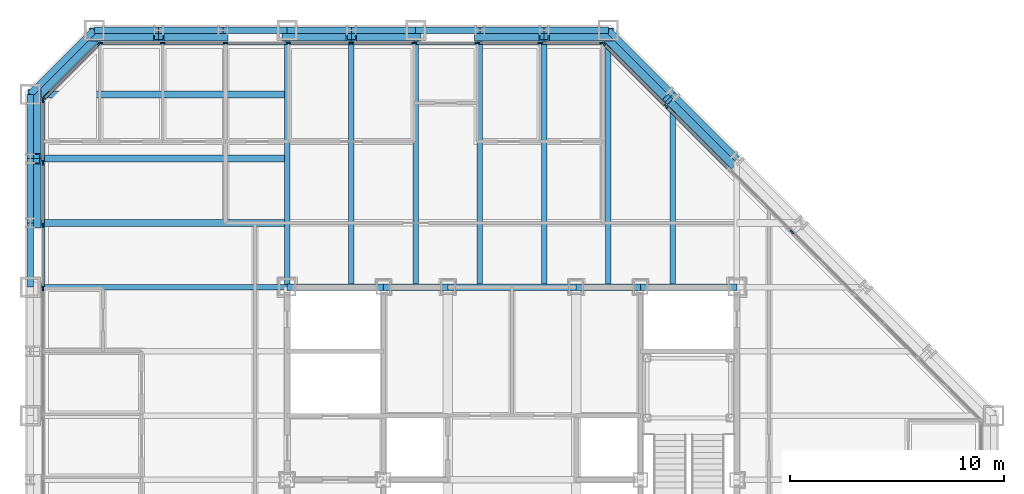
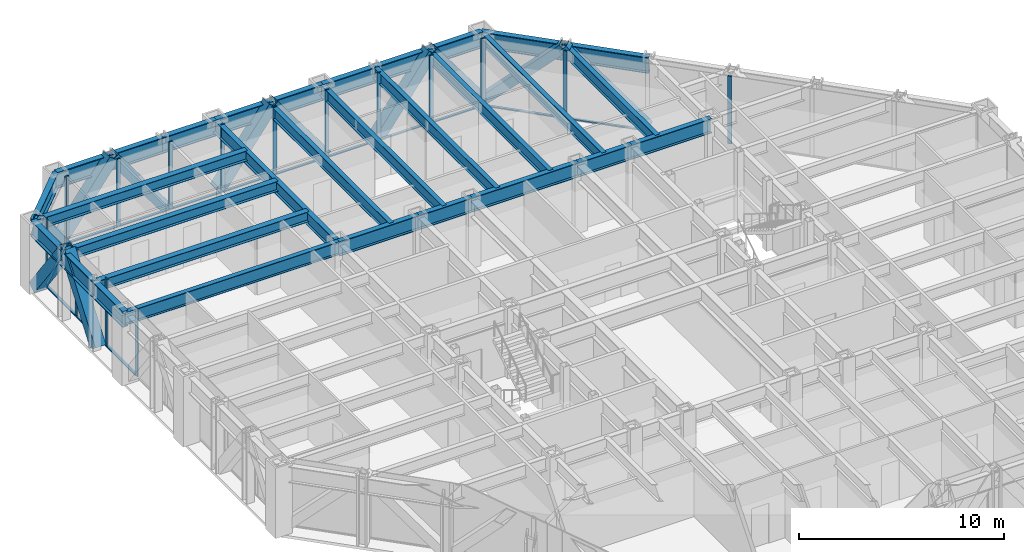
# One storey, part 7 of 16: 43 members, 30 beams, 4 elements without a shape of their own.
"""IFC4 building model written with IfcOpenShell, lengths in metres."""

from ifc_helpers import new_model, si_unit, direction, frame, origin, origin_2d, place, context, subcontext, project, spatial, rectangle, hollow_rectangle, i_section, extrude, material, layer, layer_set, material_profile, profile_set, type_object, element, aggregate, save


model = new_model("IFC4")

# Units and contexts
model_context = context("Model", 3, precision=1e-05, world=origin(), true_north=direction((0.0, 1.0)))
body_context = subcontext(model_context, "Body", "Model", "MODEL_VIEW")
ifc_project = project(units=[si_unit("LENGTHUNIT", "METRE"), si_unit("AREAUNIT", "SQUARE_METRE"), si_unit("VOLUMEUNIT", "CUBIC_METRE"), si_unit("PLANEANGLEUNIT", "RADIAN"), si_unit("MASSUNIT", "GRAM", prefix="KILO")], contexts=[model_context])

# Site, building, storey
site_placement = place(None, origin())
site = spatial("IfcSite", under=ifc_project, at=site_placement, CompositionType="ELEMENT")
building_placement = place(site_placement, origin())
building = spatial("IfcBuilding", under=site, at=building_placement, Name="Chuquiago Exchange Tower", CompositionType="ELEMENT")
storey_placement = place(building_placement, frame((0.0, 0.0, 106.800048828125)))
storey = spatial("IfcBuildingStorey", under=building, at=storey_placement, Name="L22", CompositionType="ELEMENT", Elevation=106.800048828125)

# Beams
ifc_material_1 = material(Name="Steel ASTM A992", Category="steel")
ifc_material_profile_1 = material_profile(ifc_material_1, i_section(OverallWidth=0.25390625, OverallDepth=0.683349609375, WebThickness=0.012451171875, FlangeThickness=0.018798828125, at=origin_2d()), Name="W27X94")
ifc_profile_set_1 = profile_set([ifc_material_profile_1], Name="Steel ASTM A992")
beam_type_1 = type_object("IfcBeamType", Name="B1 W27X94", PredefinedType="BEAM", material=ifc_profile_set_1)
for number, where, z_axis, x_axis, name in (
    (1, (15.0, 33.0, 3.6982421875), (0.0, 1.0, 0.0), (-1.0, 0.0, 0.0), "FB-L23-infill-15_33-15_45-0"),
    (2, (18.0, 33.0, 3.6982421875), (0.0, 1.0, 0.0), (-1.0, 0.0, 0.0), "FB-L23-infill-18_33-18_45-0"),
    (3, (21.0, 33.0, 3.6982421875), (0.0, 1.0, 0.0), (-1.0, 0.0, 0.0), "FB-L23-infill-21_33-21_45-0"),
    (4, (24.0, 33.0, 3.6982421875), (0.0, 1.0, 0.0), (-1.0, 0.0, 0.0), "FB-L23-infill-24_33-24_45-0"),
    (5, (27.0, 33.0, 3.6982421875), (0.0, 1.0, 0.0), (-1.0, 0.0, 0.0), "FB-L23-infill-27_33-27_45-0"),
):
    element("IfcBeam", number, at=place(storey_placement, frame(where, z_axis=z_axis, x_axis=x_axis)), inside=storey, type_object=beam_type_1, Name=name, PredefinedType="BEAM", context=body_context, shape_type="SweptSolid", body=[
        extrude(i_section(OverallWidth=0.25390625, OverallDepth=0.683349609375, WebThickness=0.012451171875, FlangeThickness=0.018798828125, at=origin_2d()), origin(), (0.0, 0.0, 1.0), 12.0),
    ])
beam_1_placement = place(storey_placement, frame((30.0, 33.0, 3.6982421875), z_axis=(0.0, 1.0, 0.0), x_axis=(-1.0, 0.0, 0.0)))
element("IfcBeam", 6, at=beam_1_placement, inside=storey, type_object=beam_type_1, Name="FB-L23-infill-30_33-30_42-0", PredefinedType="BEAM", context=body_context, shape_type="SweptSolid", body=[
    extrude(i_section(OverallWidth=0.25390625, OverallDepth=0.683349609375, WebThickness=0.012451171875, FlangeThickness=0.018798828125, at=origin_2d()), origin(), (0.0, 0.0, 1.0), 9.0),
])
ifc_material_2 = material(Name="Steel ASTM A992", Category="steel")
ifc_material_profile_2 = material_profile(ifc_material_2, i_section(OverallWidth=0.3251953125, OverallDepth=0.612060546875, WebThickness=0.0126953125, FlangeThickness=0.01904296875, at=origin_2d()), Name="W24X104")
ifc_profile_set_2 = profile_set([ifc_material_profile_2], Name="Steel ASTM A992")
beam_type_2 = type_object("IfcBeamType", Name="B2 W24X104", PredefinedType="BEAM", material=ifc_profile_set_2)
for number, where, z_axis, x_axis, name in (
    (7, (12.0, 36.0, 3.73388671875), (-1.0, 0.0, 0.0), (0.0, -1.0, 0.0), "FB-L23-corner-12_36--0_36-0"),
    (8, (12.0, 39.0, 3.73388671875), (-1.0, 0.0, 0.0), (0.0, -1.0, 0.0), "FB-L23-corner-12_39--0_39-0"),
    (9, (12.0, 42.0, 3.73388671875), (-1.0, 0.0, 0.0), (0.0, -1.0, 0.0), "FB-L23-corner-12_42--0_42-0"),
):
    element("IfcBeam", number, at=place(storey_placement, frame(where, z_axis=z_axis, x_axis=x_axis)), inside=storey, type_object=beam_type_2, Name=name, PredefinedType="BEAM", context=body_context, shape_type="SweptSolid", body=[
        extrude(i_section(OverallWidth=0.3251953125, OverallDepth=0.612060546875, WebThickness=0.0126953125, FlangeThickness=0.01904296875, at=origin_2d()), origin(), (0.0, 0.0, 1.0), 12.0),
    ])
ifc_material_3 = material(Name="Steel ASTM A992", Category="steel")
ifc_material_profile_3 = material_profile(ifc_material_3, i_section(OverallWidth=0.2919921875, OverallDepth=0.8583984375, WebThickness=0.01708984375, FlangeThickness=0.031005859375, at=origin_2d()), Name="W33X169")
ifc_profile_set_3 = profile_set([ifc_material_profile_3], Name="Steel ASTM A992")
beam_type_3 = type_object("IfcBeamType", Name="B3 W33X169", PredefinedType="BEAM", material=ifc_profile_set_3)
beam_2_placement = place(storey_placement, frame((12.0, 33.0, 3.610595703125), z_axis=(1.0, 0.0, 0.0), x_axis=(0.0, 1.0, 0.0)))
element("IfcBeam", 10, at=beam_2_placement, inside=storey, type_object=beam_type_3, Name="CB-L23-12_33-16.5_33", PredefinedType="BEAM", context=body_context, shape_type="SweptSolid", body=[
    extrude(i_section(OverallWidth=0.2919921875, OverallDepth=0.8583984375, WebThickness=0.01708984375, FlangeThickness=0.031005859375, at=origin_2d()), origin(), (0.0, 0.0, 1.0), 4.5),
])
beam_3_placement = place(storey_placement, frame((16.5, 33.0, 3.610595703125), z_axis=(1.0, 0.0, 0.0), x_axis=(0.0, 1.0, 0.0)))
element("IfcBeam", 11, at=beam_3_placement, inside=storey, type_object=beam_type_3, Name="CB-L23-16.5_33-19.5_33", PredefinedType="BEAM", context=body_context, shape_type="SweptSolid", body=[
    extrude(i_section(OverallWidth=0.2919921875, OverallDepth=0.8583984375, WebThickness=0.01708984375, FlangeThickness=0.031005859375, at=origin_2d()), origin(), (0.0, 0.0, 1.0), 3.0),
])
beam_4_placement = place(storey_placement, frame((19.5, 33.0, 3.610595703125), z_axis=(1.0, 0.0, 0.0), x_axis=(0.0, 1.0, 0.0)))
element("IfcBeam", 12, at=beam_4_placement, inside=storey, type_object=beam_type_3, Name="CB-L23-19.5_33-25.5_33", PredefinedType="BEAM", context=body_context, shape_type="SweptSolid", body=[
    extrude(i_section(OverallWidth=0.2919921875, OverallDepth=0.8583984375, WebThickness=0.01708984375, FlangeThickness=0.031005859375, at=origin_2d()), origin(), (0.0, 0.0, 1.0), 6.0),
])
beam_5_placement = place(storey_placement, frame((25.5, 33.0, 3.610595703125), z_axis=(1.0, 0.0, 0.0), x_axis=(0.0, 1.0, 0.0)))
element("IfcBeam", 13, at=beam_5_placement, inside=storey, type_object=beam_type_3, Name="CB-L23-25.5_33-28.5_33", PredefinedType="BEAM", context=body_context, shape_type="SweptSolid", body=[
    extrude(i_section(OverallWidth=0.2919921875, OverallDepth=0.8583984375, WebThickness=0.01708984375, FlangeThickness=0.031005859375, at=origin_2d()), origin(), (0.0, 0.0, 1.0), 3.0),
])
beam_6_placement = place(storey_placement, frame((28.5, 33.0, 3.610595703125), z_axis=(1.0, 0.0, 0.0), x_axis=(0.0, 1.0, 0.0)))
element("IfcBeam", 14, at=beam_6_placement, inside=storey, type_object=beam_type_3, Name="CB-L23-28.5_33-33_33", PredefinedType="BEAM", context=body_context, shape_type="SweptSolid", body=[
    extrude(i_section(OverallWidth=0.2919921875, OverallDepth=0.8583984375, WebThickness=0.01708984375, FlangeThickness=0.031005859375, at=origin_2d()), origin(), (0.0, 0.0, 1.0), 4.5),
])

# Curtain wall, members
ifc_material_4 = material(Name="Aluminium curtain wall system", Category="aluminium")
ifc_layer_1 = layer(ifc_material_4, 0.22509765625)
ifc_layer_set_1 = layer_set([ifc_layer_1], Name="CW2 office curtain wall")
curtain_wall_type_1 = type_object("IfcCurtainWallType", Name="CW2 office curtain wall", PredefinedType="NOTDEFINED", material=ifc_layer_set_1)
curtain_wall_1_placement = place(storey_placement, origin())
curtain_wall_1 = element("IfcCurtainWall", 15, at=curtain_wall_1_placement, inside=storey, type_object=curtain_wall_type_1, Name="CW2 curtain wall L22", PredefinedType="NOTDEFINED")
ifc_material_5 = material(Name="Aluminium mullion, pale anodised", Category="aluminium")
ifc_material_profile_4 = material_profile(ifc_material_5, rectangle(XDim=0.06494140625, YDim=0.22509765625, at=origin_2d()), Name="AL 65x225")
ifc_profile_set_4 = profile_set([ifc_material_profile_4], Name="Aluminium mullion, pale anodised")
member_type_1 = type_object("IfcMemberType", Name="CW2-M mullion 65x225", PredefinedType="MULLION", material=ifc_profile_set_4)
member_1_placement = place(storey_placement, frame((26.718994140625, 44.39990234375, 0.0), z_axis=(0.0, 0.0, 1.0), x_axis=(0.0, -1.0, 0.0)))
member_1 = element("IfcMember", 16, at=member_1_placement, type_object=member_type_1, Name="CW2 mullion 1", PredefinedType="MULLION", context=body_context, shape_type="SweptSolid", body=[
    extrude(rectangle(XDim=0.06494140625, YDim=0.22509765625, at=origin_2d()), origin(), (0.0, 0.0, 1.0), 4.0400390625),
])
member_2_placement = place(storey_placement, frame((23.813720703125, 44.39990234375, 0.0), z_axis=(0.0, 0.0, 1.0), x_axis=(0.0, -1.0, 0.0)))
member_2 = element("IfcMember", 17, at=member_2_placement, type_object=member_type_1, Name="CW2 mullion 2", PredefinedType="MULLION", context=body_context, shape_type="SweptSolid", body=[
    extrude(rectangle(XDim=0.06494140625, YDim=0.22509765625, at=origin_2d()), origin(), (0.0, 0.0, 1.0), 4.0400390625),
])
member_3_placement = place(storey_placement, frame((20.875732421875, 44.39990234375, 0.0), z_axis=(0.0, 0.0, 1.0), x_axis=(0.0, -1.0, 0.0)))
member_3 = element("IfcMember", 18, at=member_3_placement, type_object=member_type_1, Name="CW2 mullion 3", PredefinedType="MULLION", context=body_context, shape_type="SweptSolid", body=[
    extrude(rectangle(XDim=0.06494140625, YDim=0.22509765625, at=origin_2d()), origin(), (0.0, 0.0, 1.0), 4.0400390625),
])
member_4_placement = place(storey_placement, frame((17.93798828125, 44.39990234375, 0.0), z_axis=(0.0, 0.0, 1.0), x_axis=(0.0, -1.0, 0.0)))
member_4 = element("IfcMember", 19, at=member_4_placement, type_object=member_type_1, Name="CW2 mullion 4", PredefinedType="MULLION", context=body_context, shape_type="SweptSolid", body=[
    extrude(rectangle(XDim=0.06494140625, YDim=0.22509765625, at=origin_2d()), origin(), (0.0, 0.0, 1.0), 4.0400390625),
])
member_5_placement = place(storey_placement, frame((15.0, 44.39990234375, 0.0), z_axis=(0.0, 0.0, 1.0), x_axis=(0.0, -1.0, 0.0)))
member_5 = element("IfcMember", 20, at=member_5_placement, type_object=member_type_1, Name="CW2 mullion 5", PredefinedType="MULLION", context=body_context, shape_type="SweptSolid", body=[
    extrude(rectangle(XDim=0.06494140625, YDim=0.22509765625, at=origin_2d()), origin(), (0.0, 0.0, 1.0), 4.0400390625),
])
member_6_placement = place(storey_placement, frame((12.06201171875, 44.39990234375, 0.0), z_axis=(0.0, 0.0, 1.0), x_axis=(0.0, -1.0, 0.0)))
member_6 = element("IfcMember", 21, at=member_6_placement, type_object=member_type_1, Name="CW2 mullion 6", PredefinedType="MULLION", context=body_context, shape_type="SweptSolid", body=[
    extrude(rectangle(XDim=0.06494140625, YDim=0.22509765625, at=origin_2d()), origin(), (0.0, 0.0, 1.0), 4.0400390625),
])
member_7_placement = place(storey_placement, frame((9.124267578125, 44.39990234375, 0.0), z_axis=(0.0, 0.0, 1.0), x_axis=(0.0, -1.0, 0.0)))
member_7 = element("IfcMember", 22, at=member_7_placement, type_object=member_type_1, Name="CW2 mullion 7", PredefinedType="MULLION", context=body_context, shape_type="SweptSolid", body=[
    extrude(rectangle(XDim=0.06494140625, YDim=0.22509765625, at=origin_2d()), origin(), (0.0, 0.0, 1.0), 4.0400390625),
])
member_8_placement = place(storey_placement, frame((6.186279296875, 44.39990234375, 0.0), z_axis=(0.0, 0.0, 1.0), x_axis=(0.0, -1.0, 0.0)))
member_8 = element("IfcMember", 23, at=member_8_placement, type_object=member_type_1, Name="CW2 mullion 8", PredefinedType="MULLION", context=body_context, shape_type="SweptSolid", body=[
    extrude(rectangle(XDim=0.06494140625, YDim=0.22509765625, at=origin_2d()), origin(), (0.0, 0.0, 1.0), 4.0400390625),
])
member_9_placement = place(storey_placement, frame((3.281005859375, 44.39990234375, 0.0), z_axis=(0.0, 0.0, 1.0), x_axis=(0.0, -1.0, 0.0)))
member_9 = element("IfcMember", 24, at=member_9_placement, type_object=member_type_1, Name="CW2 mullion 9", PredefinedType="MULLION", context=body_context, shape_type="SweptSolid", body=[
    extrude(rectangle(XDim=0.06494140625, YDim=0.22509765625, at=origin_2d()), origin(), (0.0, 0.0, 1.0), 4.0400390625),
])

curtain_wall_2_placement = place(storey_placement, origin())
curtain_wall_2 = element("IfcCurtainWall", 25, at=curtain_wall_2_placement, inside=storey, type_object=curtain_wall_type_1, Name="CW2 curtain wall L22", PredefinedType="NOTDEFINED")
member_10_placement = place(storey_placement, frame((0.60009765625, 41.718994140625, 0.0), z_axis=(0.0, 0.0, 1.0), x_axis=(1.0, 0.0, 0.0)))
member_10 = element("IfcMember", 26, at=member_10_placement, type_object=member_type_1, Name="CW2 mullion 1", PredefinedType="MULLION", context=body_context, shape_type="SweptSolid", body=[
    extrude(rectangle(XDim=0.06494140625, YDim=0.22509765625, at=origin_2d()), origin(), (0.0, 0.0, 1.0), 4.0400390625),
])
member_11_placement = place(storey_placement, frame((0.60009765625, 38.813720703125, 0.0), z_axis=(0.0, 0.0, 1.0), x_axis=(1.0, 0.0, 0.0)))
member_11 = element("IfcMember", 27, at=member_11_placement, type_object=member_type_1, Name="CW2 mullion 2", PredefinedType="MULLION", context=body_context, shape_type="SweptSolid", body=[
    extrude(rectangle(XDim=0.06494140625, YDim=0.22509765625, at=origin_2d()), origin(), (0.0, 0.0, 1.0), 4.0400390625),
])
member_12_placement = place(storey_placement, frame((0.60009765625, 35.875732421875, 0.0), z_axis=(0.0, 0.0, 1.0), x_axis=(1.0, 0.0, 0.0)))
member_12 = element("IfcMember", 28, at=member_12_placement, type_object=member_type_1, Name="CW2 mullion 3", PredefinedType="MULLION", context=body_context, shape_type="SweptSolid", body=[
    extrude(rectangle(XDim=0.06494140625, YDim=0.22509765625, at=origin_2d()), origin(), (0.0, 0.0, 1.0), 4.0400390625),
])
member_13_placement = place(storey_placement, frame((0.60009765625, 32.93798828125, 0.0), z_axis=(0.0, 0.0, 1.0), x_axis=(1.0, 0.0, 0.0)))
member_13 = element("IfcMember", 29, at=member_13_placement, type_object=member_type_1, Name="CW2 mullion 4", PredefinedType="MULLION", context=body_context, shape_type="SweptSolid", body=[
    extrude(rectangle(XDim=0.06494140625, YDim=0.22509765625, at=origin_2d()), origin(), (0.0, 0.0, 1.0), 4.0400390625),
])

# Member
ifc_material_6 = material(Name="Aluminium transom, pale anodised", Category="aluminium")
ifc_material_profile_5 = material_profile(ifc_material_6, rectangle(XDim=0.139892578125, YDim=0.06494140625, at=origin_2d()), Name="AL 140x65")
ifc_profile_set_5 = profile_set([ifc_material_profile_5], Name="Aluminium transom, pale anodised")
member_type_2 = type_object("IfcMemberType", Name="CW2-T transom 65x140", PredefinedType="MULLION", material=ifc_profile_set_5)
member_14_placement = place(storey_placement, frame((26.6865234375, 44.39990234375, 0.032470703125), z_axis=(-1.0, 0.0, 0.0), x_axis=(0.0, -1.0, 0.0)))
member_14 = element("IfcMember", 30, at=member_14_placement, type_object=member_type_2, Name="CW2 transom 1.1", PredefinedType="MULLION", context=body_context, shape_type="SweptSolid", body=[
    extrude(rectangle(XDim=0.139892578125, YDim=0.06494140625, at=origin_2d()), origin(), (0.0, 0.0, 1.0), 2.84033203125),
])

member_15_placement = place(storey_placement, frame((23.781005859375, 44.39990234375, 0.032470703125), z_axis=(-1.0, 0.0, 0.0), x_axis=(0.0, -1.0, 0.0)))
member_15 = element("IfcMember", 31, at=member_15_placement, type_object=member_type_2, Name="CW2 transom 2.1", PredefinedType="MULLION", context=body_context, shape_type="SweptSolid", body=[
    extrude(rectangle(XDim=0.139892578125, YDim=0.06494140625, at=origin_2d()), origin(), (0.0, 0.0, 1.0), 2.872802734375),
])

member_16_placement = place(storey_placement, frame((20.84326171875, 44.39990234375, 0.032470703125), z_axis=(-1.0, 0.0, 0.0), x_axis=(0.0, -1.0, 0.0)))
member_16 = element("IfcMember", 32, at=member_16_placement, type_object=member_type_2, Name="CW2 transom 3.1", PredefinedType="MULLION", context=body_context, shape_type="SweptSolid", body=[
    extrude(rectangle(XDim=0.139892578125, YDim=0.06494140625, at=origin_2d()), origin(), (0.0, 0.0, 1.0), 2.872802734375),
])

member_17_placement = place(storey_placement, frame((17.9052734375, 44.39990234375, 0.032470703125), z_axis=(-1.0, 0.0, 0.0), x_axis=(0.0, -1.0, 0.0)))
member_17 = element("IfcMember", 33, at=member_17_placement, type_object=member_type_2, Name="CW2 transom 4.1", PredefinedType="MULLION", context=body_context, shape_type="SweptSolid", body=[
    extrude(rectangle(XDim=0.139892578125, YDim=0.06494140625, at=origin_2d()), origin(), (0.0, 0.0, 1.0), 2.872802734375),
])

member_18_placement = place(storey_placement, frame((14.967529296875, 44.39990234375, 0.032470703125), z_axis=(-1.0, 0.0, 0.0), x_axis=(0.0, -1.0, 0.0)))
member_18 = element("IfcMember", 34, at=member_18_placement, type_object=member_type_2, Name="CW2 transom 5.1", PredefinedType="MULLION", context=body_context, shape_type="SweptSolid", body=[
    extrude(rectangle(XDim=0.139892578125, YDim=0.06494140625, at=origin_2d()), origin(), (0.0, 0.0, 1.0), 2.872802734375),
])

member_19_placement = place(storey_placement, frame((12.029541015625, 44.39990234375, 0.032470703125), z_axis=(-1.0, 0.0, 0.0), x_axis=(0.0, -1.0, 0.0)))
member_19 = element("IfcMember", 35, at=member_19_placement, type_object=member_type_2, Name="CW2 transom 6.1", PredefinedType="MULLION", context=body_context, shape_type="SweptSolid", body=[
    extrude(rectangle(XDim=0.139892578125, YDim=0.06494140625, at=origin_2d()), origin(), (0.0, 0.0, 1.0), 2.872802734375),
])

member_20_placement = place(storey_placement, frame((9.091796875, 44.39990234375, 0.032470703125), z_axis=(-1.0, 0.0, 0.0), x_axis=(0.0, -1.0, 0.0)))
member_20 = element("IfcMember", 36, at=member_20_placement, type_object=member_type_2, Name="CW2 transom 7.1", PredefinedType="MULLION", context=body_context, shape_type="SweptSolid", body=[
    extrude(rectangle(XDim=0.139892578125, YDim=0.06494140625, at=origin_2d()), origin(), (0.0, 0.0, 1.0), 2.872802734375),
])

member_21_placement = place(storey_placement, frame((6.15380859375, 44.39990234375, 0.032470703125), z_axis=(-1.0, 0.0, 0.0), x_axis=(0.0, -1.0, 0.0)))
member_21 = element("IfcMember", 37, at=member_21_placement, type_object=member_type_2, Name="CW2 transom 8.1", PredefinedType="MULLION", context=body_context, shape_type="SweptSolid", body=[
    extrude(rectangle(XDim=0.139892578125, YDim=0.06494140625, at=origin_2d()), origin(), (0.0, 0.0, 1.0), 2.84033203125),
])

aggregate(curtain_wall_1, [member_1, member_2, member_3, member_4, member_5, member_6, member_7, member_8, member_9, member_14, member_15, member_16, member_17, member_18, member_19, member_20, member_21])

member_22_placement = place(storey_placement, frame((0.60009765625, 41.6865234375, 0.032470703125), z_axis=(0.0, -1.0, 0.0), x_axis=(1.0, 0.0, 0.0)))
member_22 = element("IfcMember", 38, at=member_22_placement, type_object=member_type_2, Name="CW2 transom 1.1", PredefinedType="MULLION", context=body_context, shape_type="SweptSolid", body=[
    extrude(rectangle(XDim=0.139892578125, YDim=0.06494140625, at=origin_2d()), origin(), (0.0, 0.0, 1.0), 2.84033203125),
])

member_23_placement = place(storey_placement, frame((0.60009765625, 38.781005859375, 0.032470703125), z_axis=(0.0, -1.0, 0.0), x_axis=(1.0, 0.0, 0.0)))
member_23 = element("IfcMember", 39, at=member_23_placement, type_object=member_type_2, Name="CW2 transom 2.1", PredefinedType="MULLION", context=body_context, shape_type="SweptSolid", body=[
    extrude(rectangle(XDim=0.139892578125, YDim=0.06494140625, at=origin_2d()), origin(), (0.0, 0.0, 1.0), 2.872802734375),
])

member_24_placement = place(storey_placement, frame((0.60009765625, 35.84326171875, 0.032470703125), z_axis=(0.0, -1.0, 0.0), x_axis=(1.0, 0.0, 0.0)))
member_24 = element("IfcMember", 40, at=member_24_placement, type_object=member_type_2, Name="CW2 transom 3.1", PredefinedType="MULLION", context=body_context, shape_type="SweptSolid", body=[
    extrude(rectangle(XDim=0.139892578125, YDim=0.06494140625, at=origin_2d()), origin(), (0.0, 0.0, 1.0), 2.872802734375),
])

aggregate(curtain_wall_2, [member_10, member_11, member_12, member_13, member_22, member_23, member_24])

# Curtain wall, members
ifc_material_7 = material(Name="Aluminium curtain wall system", Category="aluminium")
ifc_layer_2 = layer(ifc_material_7, 0.199951171875)
ifc_layer_set_2 = layer_set([ifc_layer_2], Name="CW3 facet curtain wall")
curtain_wall_type_2 = type_object("IfcCurtainWallType", Name="CW3 facet curtain wall", PredefinedType="NOTDEFINED", material=ifc_layer_set_2)
curtain_wall_3_placement = place(storey_placement, origin())
curtain_wall_3 = element("IfcCurtainWall", 41, at=curtain_wall_3_placement, inside=storey, type_object=curtain_wall_type_2, Name="CW3 curtain wall L22", PredefinedType="NOTDEFINED")
ifc_material_8 = material(Name="Aluminium mullion, pale anodised", Category="aluminium")
ifc_material_profile_6 = material_profile(ifc_material_8, rectangle(XDim=0.06494140625, YDim=0.199951171875, at=origin_2d()), Name="AL 65x200")
ifc_profile_set_6 = profile_set([ifc_material_profile_6], Name="Aluminium mullion, pale anodised")
member_type_3 = type_object("IfcMemberType", Name="CW3-M mullion 65x200", PredefinedType="MULLION", material=ifc_profile_set_6)
member_25_placement = place(storey_placement, frame((35.57568359375, 35.57568359375, 0.0), z_axis=(0.0, 0.0, 1.0), x_axis=(-0.707106781187, -0.707106781187, 0.0)))
member_25 = element("IfcMember", 42, at=member_25_placement, type_object=member_type_3, Name="CW3 mullion 4", PredefinedType="MULLION", context=body_context, shape_type="SweptSolid", body=[
    extrude(rectangle(XDim=0.06494140625, YDim=0.199951171875, at=origin_2d()), origin(), (0.0, 0.0, 1.0), 4.0400390625),
])
member_26_placement = place(storey_placement, frame((29.69287109375, 41.45849609375, 0.0), z_axis=(0.0, 0.0, 1.0), x_axis=(-0.707106781187, -0.707106781187, 0.0)))
member_26 = element("IfcMember", 43, at=member_26_placement, type_object=member_type_3, Name="CW3 mullion 6", PredefinedType="MULLION", context=body_context, shape_type="SweptSolid", body=[
    extrude(rectangle(XDim=0.06494140625, YDim=0.199951171875, at=origin_2d()), origin(), (0.0, 0.0, 1.0), 4.0400390625),
])
member_27_placement = place(storey_placement, frame((26.7744140625, 44.376953125, 0.0), z_axis=(0.0, 0.0, 1.0), x_axis=(-0.707106781187, -0.707106781187, 0.0)))
member_27 = element("IfcMember", 44, at=member_27_placement, type_object=member_type_3, Name="CW3 mullion 7", PredefinedType="MULLION", context=body_context, shape_type="SweptSolid", body=[
    extrude(rectangle(XDim=0.06494140625, YDim=0.199951171875, at=origin_2d()), origin(), (0.0, 0.0, 1.0), 4.0400390625),
])

curtain_wall_4_placement = place(storey_placement, origin())
curtain_wall_4 = element("IfcCurtainWall", 45, at=curtain_wall_4_placement, inside=storey, type_object=curtain_wall_type_2, Name="CW3 curtain wall L22", PredefinedType="NOTDEFINED")
member_28_placement = place(storey_placement, frame((3.2255859375, 44.376953125, 0.0), z_axis=(0.0, 0.0, 1.0), x_axis=(0.707106781187, -0.707106781187, 0.0)))
member_28 = element("IfcMember", 46, at=member_28_placement, type_object=member_type_3, Name="CW3 mullion 1", PredefinedType="MULLION", context=body_context, shape_type="SweptSolid", body=[
    extrude(rectangle(XDim=0.06494140625, YDim=0.199951171875, at=origin_2d()), origin(), (0.0, 0.0, 1.0), 4.0400390625),
])
member_29_placement = place(storey_placement, frame((0.623046875, 41.7744140625, 0.0), z_axis=(0.0, 0.0, 1.0), x_axis=(0.707106781187, -0.707106781187, 0.0)))
member_29 = element("IfcMember", 47, at=member_29_placement, type_object=member_type_3, Name="CW3 mullion 2", PredefinedType="MULLION", context=body_context, shape_type="SweptSolid", body=[
    extrude(rectangle(XDim=0.06494140625, YDim=0.199951171875, at=origin_2d()), origin(), (0.0, 0.0, 1.0), 4.0400390625),
])

# Member
ifc_material_9 = material(Name="Aluminium transom, pale anodised", Category="aluminium")
ifc_material_profile_7 = material_profile(ifc_material_9, rectangle(XDim=0.139892578125, YDim=0.06494140625, at=origin_2d()), Name="AL 140x65")
ifc_profile_set_7 = profile_set([ifc_material_profile_7], Name="Aluminium transom, pale anodised")
member_type_4 = type_object("IfcMemberType", Name="CW3-T transom 65x140", PredefinedType="MULLION", material=ifc_profile_set_7)
member_30_placement = place(storey_placement, frame((32.611328125, 38.5400390625, 0.032470703125), z_axis=(-0.707106781187, 0.707106781187, 0.0), x_axis=(-0.707106781187, -0.707106781187, 0.0)))
member_30 = element("IfcMember", 48, at=member_30_placement, type_object=member_type_4, Name="CW3 transom 5.1", PredefinedType="MULLION", context=body_context, shape_type="SweptSolid", body=[
    extrude(rectangle(XDim=0.139892578125, YDim=0.06494140625, at=origin_2d()), origin(), (0.0, 0.0, 1.0), 4.094970703125),
])

member_31_placement = place(storey_placement, frame((29.669921875, 41.4814453125, 0.032470703125), z_axis=(-0.707106781187, 0.707106781187, 0.0), x_axis=(-0.707106781187, -0.707106781187, 0.0)))
member_31 = element("IfcMember", 49, at=member_31_placement, type_object=member_type_4, Name="CW3 transom 6.1", PredefinedType="MULLION", context=body_context, shape_type="SweptSolid", body=[
    extrude(rectangle(XDim=0.139892578125, YDim=0.06494140625, at=origin_2d()), origin(), (0.0, 0.0, 1.0), 4.0625),
])

aggregate(curtain_wall_3, [member_25, member_26, member_27, member_30, member_31])

member_32_placement = place(storey_placement, frame((3.20263671875, 44.35400390625, 0.032470703125), z_axis=(-0.707106781187, -0.707106781187, 0.0), x_axis=(0.707106781187, -0.707106781187, 0.0)))
member_32 = element("IfcMember", 50, at=member_32_placement, type_object=member_type_4, Name="CW3 transom 1.1", PredefinedType="MULLION", context=body_context, shape_type="SweptSolid", body=[
    extrude(rectangle(XDim=0.139892578125, YDim=0.06494140625, at=origin_2d()), origin(), (0.0, 0.0, 1.0), 3.61572265625),
])

aggregate(curtain_wall_4, [member_28, member_29, member_32])

# Beams
ifc_material_10 = material(Name="Steel ASTM A992", Category="steel")
ifc_material_profile_8 = material_profile(ifc_material_10, i_section(OverallWidth=0.2666015625, OverallDepth=0.76953125, WebThickness=0.015625, FlangeThickness=0.025390625, at=origin_2d()), Name="W30X132")
ifc_profile_set_8 = profile_set([ifc_material_profile_8], Name="Steel ASTM A992")
beam_type_4 = type_object("IfcBeamType", Name="G1 W30X132", PredefinedType="BEAM", material=ifc_profile_set_8)
for number, where, z_axis, x_axis, name in (
    (51, (12.0, 33.0, 3.655029296875), (0.0, 1.0, 0.0), (-1.0, 0.0, 0.0), "FB-L23-girder-12_33-12_45-0"),
    (52, (12.0, 33.0, 3.655029296875), (-1.0, 0.0, 0.0), (0.0, -1.0, 0.0), "FB-L23-girder-12_33--0_33-0"),
):
    element("IfcBeam", number, at=place(storey_placement, frame(where, z_axis=z_axis, x_axis=x_axis)), inside=storey, type_object=beam_type_4, Name=name, PredefinedType="BEAM", context=body_context, shape_type="SweptSolid", body=[
        extrude(i_section(OverallWidth=0.2666015625, OverallDepth=0.76953125, WebThickness=0.015625, FlangeThickness=0.025390625, at=origin_2d()), origin(), (0.0, 0.0, 1.0), 12.0),
    ])

# Members
ifc_material_11 = material(Name="Steel ASTM A500 Grade C", Category="steel")
ifc_material_profile_9 = material_profile(ifc_material_11, hollow_rectangle(XDim=0.508056640625, YDim=0.508056640625, WallThickness=0.017822265625, at=origin_2d()), Name="HSS20X20X3/4")
ifc_profile_set_9 = profile_set([ifc_material_profile_9], Name="Steel ASTM A500 Grade C")
member_type_5 = type_object("IfcMemberType", Name="LB1 HSS20X20X3/4", PredefinedType="BRACE", material=ifc_profile_set_9)
for number, where, z_axis, x_axis, name in (
    (53, (32.822509765625, 38.822509765625, 0.0), (-0.512077265487, 0.512077265487, 0.689604051861), (-0.707106781187, -0.707106781187, 0.0), "LB-L22-33_39-30_42"),
    (54, (26.822509765625, 44.822509765625, 0.0), (0.512077265487, -0.512077265487, 0.689604051861), (0.707106781187, 0.707106781187, 0.0), "LB-L22-30_42-27_45"),
    (55, (3.177490234375, 44.822509765625, 0.0), (-0.512077265487, -0.512077265487, 0.689604051861), (0.707106781187, -0.707106781187, 0.0), "LB-L22-3_45-0_42"),
):
    element("IfcMember", number, at=place(storey_placement, frame(where, z_axis=z_axis, x_axis=x_axis)), inside=storey, type_object=member_type_5, Name=name, PredefinedType="BRACE", context=body_context, shape_type="SweptSolid", body=[
        extrude(hollow_rectangle(XDim=0.508056640625, YDim=0.508056640625, WallThickness=0.017822265625, at=origin_2d()), origin(), (0.0, 0.0, 1.0), 5.8583984375),
    ])
ifc_material_12 = material(Name="Steel ASTM A572 Grade 50", Category="steel")
ifc_material_profile_10 = material_profile(ifc_material_12, hollow_rectangle(XDim=0.60009765625, YDim=0.60009765625, WallThickness=0.06005859375, at=origin_2d()), Name="BOX600X600X60")
ifc_profile_set_10 = profile_set([ifc_material_profile_10], Name="Steel ASTM A572 Grade 50")
member_type_6 = type_object("IfcMemberType", Name="MB2 BOX600X600X60", PredefinedType="BRACE", material=ifc_profile_set_10)
for number, where, z_axis, x_axis, name in (
    (56, (27.0, 44.794921875, 0.0), (-0.596173923302, 0.0, 0.802855312728), (0.0, -1.0, 0.0), "Mega diagonal L22 N face"),
    (57, (21.0, 44.794921875, 0.0), (0.596173923302, 0.0, 0.802855312728), (0.0, 1.0, 0.0), "Mega diagonal L22 N face"),
    (58, (18.0, 44.794921875, 0.0), (-0.596173923302, 0.0, 0.802855312728), (0.0, -1.0, 0.0), "Mega diagonal L22 N face"),
    (59, (12.0, 44.794921875, 0.0), (0.596173923302, 0.0, 0.802855312728), (0.0, 1.0, 0.0), "Mega diagonal L22 N face"),
    (60, (9.0, 44.794921875, 0.0), (-0.596173923302, 0.0, 0.802855312728), (0.0, -1.0, 0.0), "Mega diagonal L22 N face"),
    (61, (3.0, 44.794921875, 0.0), (0.596173923302, 0.0, 0.802855312728), (0.0, 1.0, 0.0), "Mega diagonal L22 N face"),
    (62, (0.205078125, 42.0, 0.0), (0.0, -0.596173923302, 0.802855312728), (1.0, 0.0, 0.0), "Mega diagonal L22 W face"),
    (63, (0.205078125, 36.0, 0.0), (0.0, 0.596173923302, 0.802855312728), (-1.0, 0.0, 0.0), "Mega diagonal L22 W face"),
):
    element("IfcMember", number, at=place(storey_placement, frame(where, z_axis=z_axis, x_axis=x_axis)), inside=storey, type_object=member_type_6, Name=name, PredefinedType="BRACE", context=body_context, shape_type="SweptSolid", body=[
        extrude(hollow_rectangle(XDim=0.60009765625, YDim=0.60009765625, WallThickness=0.06005859375, at=origin_2d()), origin(), (0.0, 0.0, 1.0), 5.031982421875),
    ])

# Beams
ifc_material_13 = material(Name="Steel ASTM A992", Category="steel")
ifc_material_profile_11 = material_profile(ifc_material_13, i_section(OverallWidth=0.309814453125, OverallDepth=0.949951171875, WebThickness=0.0244140625, FlangeThickness=0.0439453125, at=origin_2d()), Name="W36X256")
ifc_profile_set_11 = profile_set([ifc_material_profile_11], Name="Steel ASTM A992")
beam_type_5 = type_object("IfcBeamType", Name="SP2 W36X256", PredefinedType="SPANDREL", material=ifc_profile_set_11)
for number, where, z_axis, x_axis, name in (
    (64, (33.0, 39.0, 3.56494140625), (-0.707106781187, 0.707106781187, 0.0), (-0.707106781187, -0.707106781187, 0.0), "SPB-L23-33_39-30_42"),
    (65, (30.0, 42.0, 3.56494140625), (-0.707106781187, 0.707106781187, 0.0), (-0.707106781187, -0.707106781187, 0.0), "SPB-L23-30_42-27_45"),
):
    element("IfcBeam", number, at=place(storey_placement, frame(where, z_axis=z_axis, x_axis=x_axis)), inside=storey, type_object=beam_type_5, Name=name, PredefinedType="SPANDREL", context=body_context, shape_type="SweptSolid", body=[
        extrude(i_section(OverallWidth=0.309814453125, OverallDepth=0.949951171875, WebThickness=0.0244140625, FlangeThickness=0.0439453125, at=origin_2d()), origin(), (0.0, 0.0, 1.0), 4.24267578125),
    ])
for number, where, z_axis, x_axis, name in (
    (66, (27.0, 45.0, 3.56494140625), (-1.0, 0.0, 0.0), (0.0, -1.0, 0.0), "SPB-L23-27_45-24_45"),
    (67, (24.0, 45.0, 3.56494140625), (-1.0, 0.0, 0.0), (0.0, -1.0, 0.0), "SPB-L23-24_45-21_45"),
    (68, (21.0, 45.0, 3.56494140625), (-1.0, 0.0, 0.0), (0.0, -1.0, 0.0), "SPB-L23-21_45-18_45"),
    (69, (18.0, 45.0, 3.56494140625), (-1.0, 0.0, 0.0), (0.0, -1.0, 0.0), "SPB-L23-18_45-15_45"),
    (70, (15.0, 45.0, 3.56494140625), (-1.0, 0.0, 0.0), (0.0, -1.0, 0.0), "SPB-L23-15_45-12_45"),
    (71, (12.0, 45.0, 3.56494140625), (-1.0, 0.0, 0.0), (0.0, -1.0, 0.0), "SPB-L23-12_45-9_45"),
    (72, (9.0, 45.0, 3.56494140625), (-1.0, 0.0, 0.0), (0.0, -1.0, 0.0), "SPB-L23-9_45-6_45"),
    (73, (6.0, 45.0, 3.56494140625), (-1.0, 0.0, 0.0), (0.0, -1.0, 0.0), "SPB-L23-6_45-3_45"),
):
    element("IfcBeam", number, at=place(storey_placement, frame(where, z_axis=z_axis, x_axis=x_axis)), inside=storey, type_object=beam_type_5, Name=name, PredefinedType="SPANDREL", context=body_context, shape_type="SweptSolid", body=[
        extrude(i_section(OverallWidth=0.309814453125, OverallDepth=0.949951171875, WebThickness=0.0244140625, FlangeThickness=0.0439453125, at=origin_2d()), origin(), (0.0, 0.0, 1.0), 3.0),
    ])
beam_7_placement = place(storey_placement, frame((3.0, 45.0, 3.56494140625), z_axis=(-0.707106781187, -0.707106781187, 0.0), x_axis=(0.707106781187, -0.707106781187, 0.0)))
element("IfcBeam", 74, at=beam_7_placement, inside=storey, type_object=beam_type_5, Name="SPB-L23-3_45-0_42", PredefinedType="SPANDREL", context=body_context, shape_type="SweptSolid", body=[
    extrude(i_section(OverallWidth=0.309814453125, OverallDepth=0.949951171875, WebThickness=0.0244140625, FlangeThickness=0.0439453125, at=origin_2d()), origin(), (0.0, 0.0, 1.0), 4.24267578125),
])
for number, where, z_axis, x_axis, name in (
    (75, (0.0, 42.0, 3.56494140625), (0.0, -1.0, 0.0), (1.0, 0.0, 0.0), "SPB-L23-0_42-0_39"),
    (76, (0.0, 39.0, 3.56494140625), (0.0, -1.0, 0.0), (1.0, 0.0, 0.0), "SPB-L23-0_39-0_36"),
    (77, (0.0, 36.0, 3.56494140625), (0.0, -1.0, 0.0), (1.0, 0.0, 0.0), "SPB-L23-0_36-0_33"),
):
    element("IfcBeam", number, at=place(storey_placement, frame(where, z_axis=z_axis, x_axis=x_axis)), inside=storey, type_object=beam_type_5, Name=name, PredefinedType="SPANDREL", context=body_context, shape_type="SweptSolid", body=[
        extrude(i_section(OverallWidth=0.309814453125, OverallDepth=0.949951171875, WebThickness=0.0244140625, FlangeThickness=0.0439453125, at=origin_2d()), origin(), (0.0, 0.0, 1.0), 3.0),
    ])

save(model, "model.ifc")
